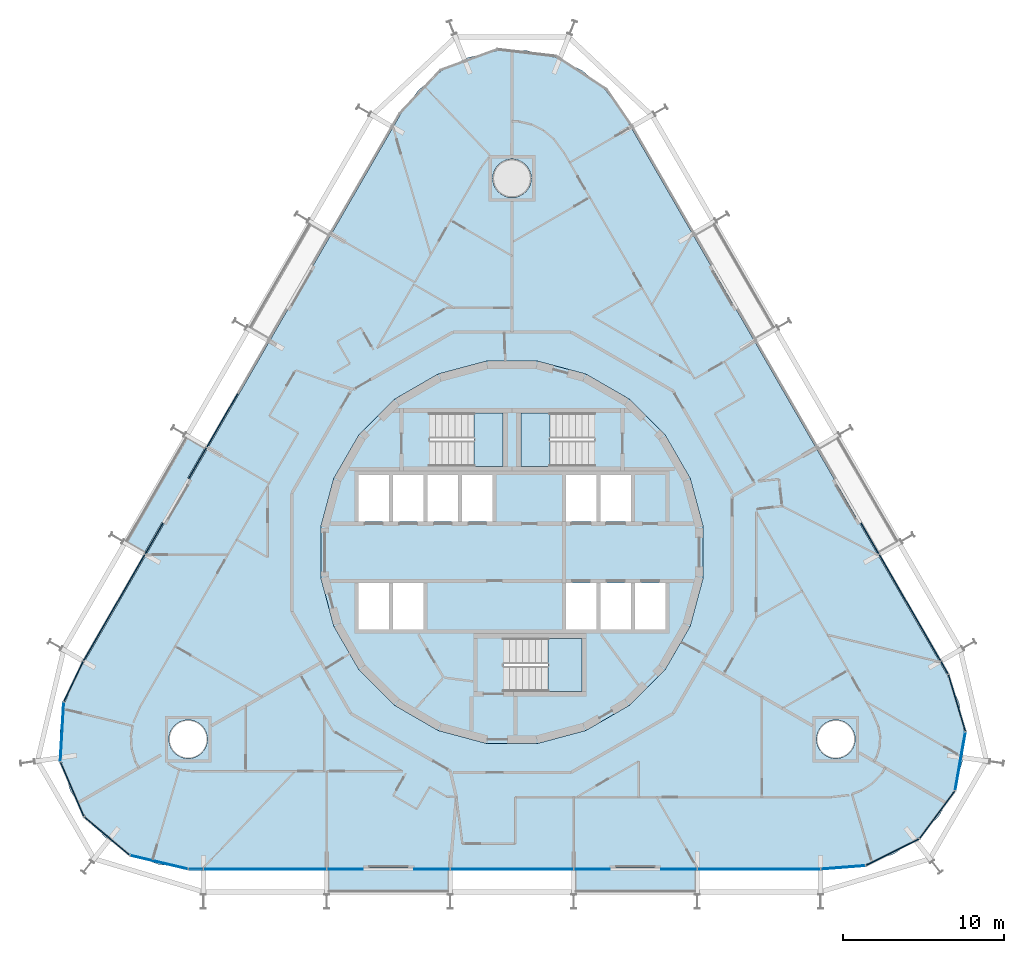
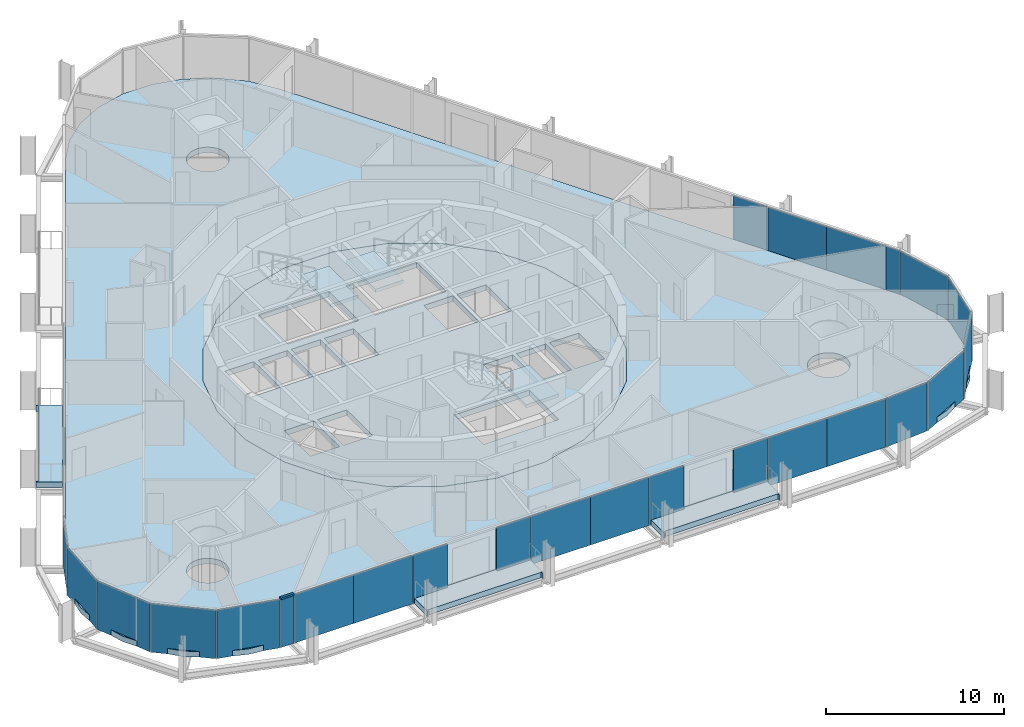
# One storey, part 11 of 20: 30 plates, 8 slabs, 1 member, 8 elements without a shape of their own.
"""IFC4 building model written with IfcOpenShell, lengths in metres."""

from ifc_helpers import new_model, si_unit, direction, frame, origin, origin_2d, place, context, subcontext, project, spatial, polyline, rectangle, outline, extrude, material, layer, layer_set, material_profile, profile_set, type_object, element, aggregate, save


model = new_model("IFC4")

# Units and contexts
model_context = context("Model", 3, precision=1e-05, world=origin(), true_north=direction((0.0, 1.0)))
body_context = subcontext(model_context, "Body", "Model", "MODEL_VIEW")
ifc_project = project(units=[si_unit("LENGTHUNIT", "METRE"), si_unit("AREAUNIT", "SQUARE_METRE"), si_unit("VOLUMEUNIT", "CUBIC_METRE"), si_unit("PLANEANGLEUNIT", "RADIAN"), si_unit("MASSUNIT", "GRAM", prefix="KILO")], contexts=[model_context])

# Site, building, storey
site_placement = place(None, origin())
site = spatial("IfcSite", under=ifc_project, at=site_placement, CompositionType="ELEMENT")
building_placement = place(site_placement, origin())
building = spatial("IfcBuilding", under=site, at=building_placement, Name="Spindle Arch Residences", CompositionType="ELEMENT")
storey_placement = place(building_placement, frame((0.0, 0.0, 66.39990234375)))
storey = spatial("IfcBuildingStorey", under=building, at=storey_placement, Name="L15", CompositionType="ELEMENT", Elevation=66.39990234375)

# Curtain wall, member
ifc_material_1 = material(Name="Aluminium bronze unitised frame with tinted glass", Category="aluminium")
ifc_layer_1 = layer(ifc_material_1, 0.159912109375)
ifc_layer_set_1 = layer_set([ifc_layer_1], Name="CW-D corner wall on the fillet arcs")
curtain_wall_type_1 = type_object("IfcCurtainWallType", Name="CW-D corner wall on the fillet arcs", PredefinedType="NOTDEFINED", material=ifc_layer_set_1)
curtain_wall_1_placement = place(storey_placement, origin())
curtain_wall_1 = element("IfcCurtainWall", 1, at=curtain_wall_1_placement, inside=storey, type_object=curtain_wall_type_1, Name="CW-D L15 run 5", PredefinedType="NOTDEFINED")
ifc_material_2 = material(Name="Aluminium bronze anodised transom", Category="aluminium")
ifc_material_profile = material_profile(ifc_material_2, rectangle(XDim=0.159912109375, YDim=0.1201171875, at=origin_2d()), Name="TR 120x160")
ifc_profile_set = profile_set([ifc_material_profile], Name="Aluminium bronze anodised transom")
member_type = type_object("IfcMemberType", Name="Bronze transom 120x160", PredefinedType="USERDEFINED", material=ifc_profile_set)
member_placement = place(storey_placement, frame((-20.113525390625, -19.7099609375, 2.989990234375), z_axis=(1.0, 0.0, 0.0), x_axis=(0.0, 1.0, 0.0)))
member = element("IfcMember", 2, at=member_placement, type_object=member_type, Name="CW-D transom 05", ObjectType="TRANSOM", PredefinedType="USERDEFINED", context=body_context, shape_type="SweptSolid", body=[
    extrude(rectangle(XDim=0.159912109375, YDim=0.1201171875, at=origin_2d()), origin(), (0.0, 0.0, 1.0), 0.88330078125),
])

# Slabs
ifc_material_3 = material(Name="Concrete C40/50", Category="concrete")
ifc_layer_2 = layer(ifc_material_3, 0.3798828125)
ifc_layer_set_2 = layer_set([ifc_layer_2], Name="Balcony slab 380")
slab_type_1 = type_object("IfcSlabType", Name="Balcony slab 380", PredefinedType="FLOOR", material=ifc_layer_set_2)
slab_1_placement = place(storey_placement, frame((0.0, 0.0, -0.3798828125)))
element("IfcSlab", 3, at=slab_1_placement, inside=storey, type_object=slab_type_1, Name="Balcony L15 bay 1", PredefinedType="FLOOR", context=body_context, shape_type="SweptSolid", body=[
    extrude(outline(polyline([(3.9150390625, -21.280029296875), (3.989990234375, -21.280029296875), (3.989990234375, -21.1298828125), (11.3701171875, -21.1298828125), (11.3701171875, -21.280029296875), (11.445068359375, -21.280029296875), (11.445068359375, -19.789794921875), (9.280029296875, -19.789794921875), (9.280029296875, -19.6298828125), (6.080078125, -19.6298828125), (6.080078125, -19.789794921875), (3.9150390625, -19.789794921875), (3.9150390625, -21.280029296875)])), origin(), (0.0, 0.0, 1.0), 0.3798828125),
])
slab_2_placement = place(storey_placement, frame((0.0, 0.0, -0.3798828125)))
element("IfcSlab", 4, at=slab_2_placement, inside=storey, type_object=slab_type_1, Name="Balcony L15 bay 17", PredefinedType="FLOOR", context=body_context, shape_type="SweptSolid", body=[
    extrude(outline(polyline([(-20.386474609375, 7.24951171875), (-20.424072265625, 7.1845703125), (-20.2939453125, 7.109375), (-23.984130859375, 0.71826171875), (-24.114013671875, 0.793212890625), (-24.151611328125, 0.728271484375), (-22.861083984375, -0.016845703125), (-21.778564453125, 1.858154296875), (-21.64013671875, 1.778076171875), (-20.0400390625, 4.549560546875), (-20.1787109375, 4.62939453125), (-19.09619140625, 6.50439453125), (-20.386474609375, 7.24951171875)])), origin(), (0.0, 0.0, 1.0), 0.3798828125),
])
slab_3_placement = place(storey_placement, frame((0.0, 0.0, -0.3798828125)))
element("IfcSlab", 5, at=slab_3_placement, inside=storey, type_object=slab_type_1, Name="Balcony L15 bay 23", PredefinedType="FLOOR", context=body_context, shape_type="SweptSolid", body=[
    extrude(outline(polyline([(-11.445068359375, -21.280029296875), (-11.3701171875, -21.280029296875), (-11.3701171875, -21.1298828125), (-3.989990234375, -21.1298828125), (-3.989990234375, -21.280029296875), (-3.9150390625, -21.280029296875), (-3.9150390625, -19.789794921875), (-6.080078125, -19.789794921875), (-6.080078125, -19.6298828125), (-9.280029296875, -19.6298828125), (-9.280029296875, -19.789794921875), (-11.445068359375, -19.789794921875), (-11.445068359375, -21.280029296875)])), origin(), (0.0, 0.0, 1.0), 0.3798828125),
])
ifc_material_4 = material(Name="Concrete C50/60", Category="concrete")
ifc_layer_3 = layer(ifc_material_4, 0.3798828125)
ifc_layer_set_3 = layer_set([ifc_layer_3], Name="Core floor slab 380")
slab_type_2 = type_object("IfcSlabType", Name="Core floor slab 380", PredefinedType="FLOOR", material=ifc_layer_set_3)
slab_4_placement = place(storey_placement, frame((0.0, 0.0, -0.3798828125)))
element("IfcSlab", 6, at=slab_4_placement, inside=storey, type_object=slab_type_2, Name="Core floor L15", PredefinedType="FLOOR", context=body_context, shape_type="SweptSolid", body=[
    extrude(outline(polyline([(1.56640625, -11.897216796875), (4.59228515625, -11.086669921875), (7.30517578125, -9.520263671875), (9.520263671875, -7.30517578125), (11.086669921875, -4.59228515625), (11.897216796875, -1.56640625), (11.897216796875, 1.56640625), (11.086669921875, 4.59228515625), (9.520263671875, 7.30517578125), (7.30517578125, 9.520263671875), (4.59228515625, 11.086669921875), (1.56640625, 11.897216796875), (-1.56640625, 11.897216796875), (-4.59228515625, 11.086669921875), (-7.30517578125, 9.520263671875), (-9.520263671875, 7.30517578125), (-11.086669921875, 4.59228515625), (-11.897216796875, 1.56640625), (-11.897216796875, -1.56640625), (-11.086669921875, -4.59228515625), (-9.520263671875, -7.30517578125), (-7.30517578125, -9.520263671875), (-4.59228515625, -11.086669921875), (-1.56640625, -11.897216796875), (1.56640625, -11.897216796875)]), holes=[polyline([(-9.550048828125, 1.89990234375), (-7.64990234375, 1.89990234375), (-7.64990234375, 4.800048828125), (-9.550048828125, 4.800048828125), (-9.550048828125, 1.89990234375)]), polyline([(-7.39990234375, 1.89990234375), (-5.5, 1.89990234375), (-5.5, 4.800048828125), (-7.39990234375, 4.800048828125), (-7.39990234375, 1.89990234375)]), polyline([(-5.25, 1.89990234375), (-3.35009765625, 1.89990234375), (-3.35009765625, 4.800048828125), (-5.25, 4.800048828125), (-5.25, 1.89990234375)]), polyline([(-3.10009765625, 1.89990234375), (-1.199951171875, 1.89990234375), (-1.199951171875, 4.800048828125), (-3.10009765625, 4.800048828125), (-3.10009765625, 1.89990234375)]), polyline([(3.35009765625, 1.89990234375), (5.25, 1.89990234375), (5.25, 4.800048828125), (3.35009765625, 4.800048828125), (3.35009765625, 1.89990234375)]), polyline([(5.5, 1.89990234375), (7.39990234375, 1.89990234375), (7.39990234375, 4.800048828125), (5.5, 4.800048828125), (5.5, 1.89990234375)]), polyline([(-9.550048828125, -4.800048828125), (-7.64990234375, -4.800048828125), (-7.64990234375, -1.89990234375), (-9.550048828125, -1.89990234375), (-9.550048828125, -4.800048828125)]), polyline([(-7.39990234375, -4.800048828125), (-5.5, -4.800048828125), (-5.5, -1.89990234375), (-7.39990234375, -1.89990234375), (-7.39990234375, -4.800048828125)]), polyline([(3.35009765625, -4.800048828125), (5.25, -4.800048828125), (5.25, -1.89990234375), (3.35009765625, -1.89990234375), (3.35009765625, -4.800048828125)]), polyline([(5.5, -4.800048828125), (7.39990234375, -4.800048828125), (7.39990234375, -1.89990234375), (5.5, -1.89990234375), (5.5, -4.800048828125)]), polyline([(7.64990234375, -4.800048828125), (9.550048828125, -4.800048828125), (9.550048828125, -1.89990234375), (7.64990234375, -1.89990234375), (7.64990234375, -4.800048828125)]), polyline([(5.1298828125, 8.669921875), (0.550048828125, 8.669921875), (0.550048828125, 5.35009765625), (5.1298828125, 5.35009765625), (5.1298828125, 8.669921875)]), polyline([(-5.1298828125, 5.35009765625), (-0.550048828125, 5.35009765625), (-0.550048828125, 8.669921875), (-5.1298828125, 8.669921875), (-5.1298828125, 5.35009765625)]), polyline([(-0.530029296875, -8.669921875), (4.35009765625, -8.669921875), (4.35009765625, -5.35009765625), (-0.530029296875, -5.35009765625), (-0.530029296875, -8.669921875)])]), origin(), (0.0, 0.0, 1.0), 0.3798828125),
])

# Stair, slab
ifc_material_5 = material(Name="Concrete C50/60", Category="concrete")
stair_type = type_object("IfcStairType", Name="Exit stair 16 risers", PredefinedType="HALF_TURN_STAIR", material=ifc_material_5)
stair_1_placement = place(storey_placement, origin())
stair_1 = element("IfcStair", 7, at=stair_1_placement, inside=storey, type_object=stair_type, Name="L15 Exit stair ST1", PredefinedType="HALF_TURN_STAIR")
ifc_material_6 = material(Name="Concrete C50/60", Category="concrete")
ifc_layer_4 = layer(ifc_material_6, 0.219970703125)
ifc_layer_set_4 = layer_set([ifc_layer_4], Name="Exit stair landing 220")
slab_type_3 = type_object("IfcSlabType", Name="Exit stair landing 220", PredefinedType="LANDING", material=ifc_layer_set_4)
slab_5_placement = place(storey_placement, frame((0.0, 0.0, 1.530029296875)))
slab_5 = element("IfcSlab", 8, at=slab_5_placement, type_object=slab_type_3, Name="ST1 landing 1", PredefinedType="LANDING", context=body_context, shape_type="SweptSolid", body=[
    extrude(outline(polyline([(2.3701171875, 8.669921875), (0.550048828125, 8.669921875), (0.550048828125, 5.35009765625), (2.3701171875, 5.35009765625), (2.3701171875, 8.669921875)])), origin(), (0.0, 0.0, 1.0), 0.219970703125),
])
aggregate(stair_1, [slab_5])

stair_2_placement = place(storey_placement, origin())
stair_2 = element("IfcStair", 9, at=stair_2_placement, inside=storey, type_object=stair_type, Name="L15 Exit stair ST2", PredefinedType="HALF_TURN_STAIR")
slab_6_placement = place(storey_placement, frame((0.0, 0.0, 1.530029296875)))
slab_6 = element("IfcSlab", 10, at=slab_6_placement, type_object=slab_type_3, Name="ST2 landing 1", PredefinedType="LANDING", context=body_context, shape_type="SweptSolid", body=[
    extrude(outline(polyline([(-2.3701171875, 5.35009765625), (-0.550048828125, 5.35009765625), (-0.550048828125, 8.669921875), (-2.3701171875, 8.669921875), (-2.3701171875, 5.35009765625)])), origin(), (0.0, 0.0, 1.0), 0.219970703125),
])
aggregate(stair_2, [slab_6])

stair_3_placement = place(storey_placement, origin())
stair_3 = element("IfcStair", 11, at=stair_3_placement, inside=storey, type_object=stair_type, Name="L15 Exit stair ST3", PredefinedType="HALF_TURN_STAIR")
slab_7_placement = place(storey_placement, frame((0.0, 0.0, 1.530029296875)))
slab_7 = element("IfcSlab", 12, at=slab_7_placement, type_object=slab_type_3, Name="ST3 landing 1", PredefinedType="LANDING", context=body_context, shape_type="SweptSolid", body=[
    extrude(outline(polyline([(2.22998046875, -8.669921875), (4.35009765625, -8.669921875), (4.35009765625, -5.35009765625), (2.22998046875, -5.35009765625), (2.22998046875, -8.669921875)])), origin(), (0.0, 0.0, 1.0), 0.219970703125),
])
aggregate(stair_3, [slab_7])

# Slab
ifc_material_7 = material(Name="Concrete C40/50", Category="concrete")
ifc_layer_5 = layer(ifc_material_7, 0.3798828125)
ifc_layer_set_5 = layer_set([ifc_layer_5], Name="Floor slab 380")
slab_type_4 = type_object("IfcSlabType", Name="Floor slab 380", PredefinedType="FLOOR", material=ifc_layer_set_5)
slab_8_placement = place(storey_placement, frame((0.0, 0.0, -0.3798828125)))
element("IfcSlab", 13, at=slab_8_placement, inside=storey, type_object=slab_type_4, Name="Floor slab L15", PredefinedType="FLOOR", context=body_context, shape_type="SweptSolid", body=[
    extrude(outline(polyline([(-21.988525390625, -19.414306640625), (-23.73388671875, -18.779052734375), (-25.285888671875, -17.75830078125), (-26.560546875, -16.4072265625), (-27.4892578125, -14.798583984375), (-28.022216796875, -13.01904296875), (-28.130126953125, -11.164794921875), (-27.8076171875, -9.33544921875), (-27.07177734375, -7.6298828125), (-6.92822265625, 27.259765625), (-5.819091796875, 28.749755859375), (-4.39599609375, 29.943603515625), (-2.736083984375, 30.77734375), (-0.9287109375, 31.205810546875), (0.9287109375, 31.205810546875), (2.736083984375, 30.77734375), (4.39599609375, 29.943603515625), (5.819091796875, 28.749755859375), (6.92822265625, 27.259765625), (27.07177734375, -7.6298828125), (27.8076171875, -9.33544921875), (28.130126953125, -11.164794921875), (28.022216796875, -13.01904296875), (27.4892578125, -14.798583984375), (26.560546875, -16.4072265625), (25.285888671875, -17.75830078125), (23.73388671875, -18.779052734375), (21.988525390625, -19.414306640625), (20.1435546875, -19.6298828125), (0.0, -19.6298828125), (-20.1435546875, -19.6298828125), (-21.988525390625, -19.414306640625)]), holes=[polyline([(7.30517578125, -9.520263671875), (9.520263671875, -7.30517578125), (11.086669921875, -4.59228515625), (11.897216796875, -1.56640625), (11.897216796875, 1.56640625), (11.086669921875, 4.59228515625), (9.520263671875, 7.30517578125), (7.30517578125, 9.520263671875), (4.59228515625, 11.086669921875), (1.56640625, 11.897216796875), (-1.56640625, 11.897216796875), (-4.59228515625, 11.086669921875), (-7.30517578125, 9.520263671875), (-9.520263671875, 7.30517578125), (-11.086669921875, 4.59228515625), (-11.897216796875, 1.56640625), (-11.897216796875, -1.56640625), (-11.086669921875, -4.59228515625), (-9.520263671875, -7.30517578125), (-7.30517578125, -9.520263671875), (-4.59228515625, -11.086669921875), (-1.56640625, -11.897216796875), (1.56640625, -11.897216796875), (4.59228515625, -11.086669921875), (7.30517578125, -9.520263671875)]), polyline([(-19.295166015625, -12.478515625), (-19.145751953125, -12.296630859375), (-19.034912109375, -12.089111328125), (-18.966796875, -11.864013671875), (-18.943603515625, -11.6298828125), (-18.966796875, -11.395751953125), (-19.034912109375, -11.170654296875), (-19.145751953125, -10.963134765625), (-19.295166015625, -10.781494140625), (-19.476806640625, -10.632080078125), (-19.684326171875, -10.521240234375), (-19.909423828125, -10.452880859375), (-20.1435546875, -10.429931640625), (-20.377685546875, -10.452880859375), (-20.602783203125, -10.521240234375), (-20.810302734375, -10.632080078125), (-20.9921875, -10.781494140625), (-21.141357421875, -10.963134765625), (-21.252197265625, -11.170654296875), (-21.320556640625, -11.395751953125), (-21.343505859375, -11.6298828125), (-21.320556640625, -11.864013671875), (-21.252197265625, -12.089111328125), (-21.141357421875, -12.296630859375), (-20.9921875, -12.478515625), (-20.810302734375, -12.627685546875), (-20.602783203125, -12.738525390625), (-20.377685546875, -12.806884765625), (-20.1435546875, -12.829833984375), (-19.909423828125, -12.806884765625), (-19.684326171875, -12.738525390625), (-19.476806640625, -12.627685546875), (-19.295166015625, -12.478515625)]), polyline([(0.848388671875, 22.411376953125), (0.997802734375, 22.593017578125), (1.108642578125, 22.800537109375), (1.177001953125, 23.025634765625), (1.199951171875, 23.259765625), (1.177001953125, 23.493896484375), (1.108642578125, 23.718994140625), (0.997802734375, 23.926513671875), (0.848388671875, 24.1083984375), (0.666748046875, 24.257568359375), (0.459228515625, 24.368408203125), (0.234130859375, 24.436767578125), (0.0, 24.459716796875), (-0.234130859375, 24.436767578125), (-0.459228515625, 24.368408203125), (-0.666748046875, 24.257568359375), (-0.848388671875, 24.1083984375), (-0.997802734375, 23.926513671875), (-1.108642578125, 23.718994140625), (-1.177001953125, 23.493896484375), (-1.199951171875, 23.259765625), (-1.177001953125, 23.025634765625), (-1.108642578125, 22.800537109375), (-0.997802734375, 22.593017578125), (-0.848388671875, 22.411376953125), (-0.666748046875, 22.261962890625), (-0.459228515625, 22.151123046875), (-0.234130859375, 22.0830078125), (0.0, 22.059814453125), (0.234130859375, 22.0830078125), (0.459228515625, 22.151123046875), (0.666748046875, 22.261962890625), (0.848388671875, 22.411376953125)]), polyline([(20.9921875, -12.478515625), (21.141357421875, -12.296630859375), (21.252197265625, -12.089111328125), (21.320556640625, -11.864013671875), (21.343505859375, -11.6298828125), (21.320556640625, -11.395751953125), (21.252197265625, -11.170654296875), (21.141357421875, -10.963134765625), (20.9921875, -10.781494140625), (20.810302734375, -10.632080078125), (20.602783203125, -10.521240234375), (20.377685546875, -10.452880859375), (20.1435546875, -10.429931640625), (19.909423828125, -10.452880859375), (19.684326171875, -10.521240234375), (19.476806640625, -10.632080078125), (19.295166015625, -10.781494140625), (19.145751953125, -10.963134765625), (19.034912109375, -11.170654296875), (18.966796875, -11.395751953125), (18.943603515625, -11.6298828125), (18.966796875, -11.864013671875), (19.034912109375, -12.089111328125), (19.145751953125, -12.296630859375), (19.295166015625, -12.478515625), (19.476806640625, -12.627685546875), (19.684326171875, -12.738525390625), (19.909423828125, -12.806884765625), (20.1435546875, -12.829833984375), (20.377685546875, -12.806884765625), (20.602783203125, -12.738525390625), (20.810302734375, -12.627685546875), (20.9921875, -12.478515625)])]), origin(), (0.0, 0.0, 1.0), 0.3798828125),
])

# Curtain wall, plates
curtain_wall_2_placement = place(storey_placement, origin())
curtain_wall_2 = element("IfcCurtainWall", 14, at=curtain_wall_2_placement, inside=storey, type_object=curtain_wall_type_1, Name="CW-D L15 run 1", PredefinedType="NOTDEFINED")
ifc_material_8 = material(Name="Tinted double glazing over aluminium faced non-combustible spandrel zone (K0)", Category="aluminium")
ifc_layer_6 = layer(ifc_material_8, 0.06005859375)
ifc_layer_set_6 = layer_set([ifc_layer_6], Name="Unitised glass panel with E 60 spandrel zone")
plate_type = type_object("IfcPlateType", Name="Unitised glass panel with E 60 spandrel zone", PredefinedType="CURTAIN_PANEL", material=ifc_layer_set_6)
plate_1_placement = place(storey_placement, frame((20.603515625, -19.60107421875, -0.3798828125), z_axis=(0.0, 0.0, 1.0), x_axis=(0.997002907861, 0.077364085451, 0.0)))
plate_1 = element("IfcPlate", 15, at=plate_1_placement, type_object=plate_type, Name="CW-D unit 00", PredefinedType="CURTAIN_PANEL", context=body_context, shape_type="SweptSolid", body=[
    extrude(rectangle(XDim=2.755126953125, YDim=0.06005859375, at=origin_2d()), origin(), (0.0, 0.0, 1.0), 3.31005859375),
])
plate_2_placement = place(storey_placement, frame((23.672119140625, -18.65576171875, -0.3798828125), z_axis=(0.0, 0.0, 1.0), x_axis=(0.893632642326, 0.448799176213, 0.0)))
plate_2 = element("IfcPlate", 16, at=plate_2_placement, type_object=plate_type, Name="CW-D unit 01", PredefinedType="CURTAIN_PANEL", context=body_context, shape_type="SweptSolid", body=[
    extrude(rectangle(XDim=3.666748046875, YDim=0.06005859375, at=origin_2d()), origin(), (0.0, 0.0, 1.0), 3.31005859375),
])
plate_3_placement = place(storey_placement, frame((26.449951171875, -16.324951171875, -0.3798828125), z_axis=(0.0, 0.0, 1.0), x_axis=(0.597158595823, 0.802123189687, 0.0)))
plate_3 = element("IfcPlate", 17, at=plate_3_placement, type_object=plate_type, Name="CW-D unit 02", PredefinedType="CURTAIN_PANEL", context=body_context, shape_type="SweptSolid", body=[
    extrude(rectangle(XDim=3.666748046875, YDim=0.06005859375, at=origin_2d()), origin(), (0.0, 0.0, 1.0), 3.31005859375),
])
plate_4_placement = place(storey_placement, frame((27.88623046875, -12.9951171875, -0.3798828125), z_axis=(0.0, 0.0, 1.0), x_axis=(0.173648181019, 0.984807752421, 0.0)))
plate_4 = element("IfcPlate", 18, at=plate_4_placement, type_object=plate_type, Name="CW-D unit 03", PredefinedType="CURTAIN_PANEL", context=body_context, shape_type="SweptSolid", body=[
    extrude(rectangle(XDim=3.666748046875, YDim=0.06005859375, at=origin_2d()), origin(), (0.0, 0.0, 1.0), 3.31005859375),
])
plate_5_placement = place(storey_placement, frame((27.675537109375, -9.375, -0.3798828125), z_axis=(0.0, 0.0, 1.0), x_axis=(-0.28680323051, 0.957989512975, 0.0)))
plate_5 = element("IfcPlate", 19, at=plate_5_placement, type_object=plate_type, Name="CW-D unit 04", PredefinedType="CURTAIN_PANEL", context=body_context, shape_type="SweptSolid", body=[
    extrude(rectangle(XDim=3.666748046875, YDim=0.06005859375, at=origin_2d()), origin(), (0.0, 0.0, 1.0), 3.31005859375),
])
plate_6_placement = place(storey_placement, frame((26.9052734375, -7.181396484375, -0.3798828125), z_axis=(0.0, 0.0, 1.0), x_axis=(-0.5, 0.866025403784, 0.0)))
plate_6 = element("IfcPlate", 20, at=plate_6_placement, type_object=plate_type, Name="CW-D unit 05", PredefinedType="CURTAIN_PANEL", context=body_context, shape_type="SweptSolid", body=[
    extrude(rectangle(XDim=0.88330078125, YDim=0.06005859375, at=origin_2d()), origin(), (0.0, 0.0, 1.0), 3.31005859375),
])
aggregate(curtain_wall_2, [plate_1, plate_2, plate_3, plate_4, plate_5, plate_6])

ifc_material_9 = material(Name="Aluminium bronze unitised frame with tinted glass", Category="aluminium")
ifc_layer_7 = layer(ifc_material_9, 0.159912109375)
ifc_layer_set_7 = layer_set([ifc_layer_7], Name="CW-C typical residential unitised wall")
curtain_wall_type_2 = type_object("IfcCurtainWallType", Name="CW-C typical residential unitised wall", PredefinedType="NOTDEFINED", material=ifc_layer_set_7)
curtain_wall_3_placement = place(storey_placement, origin())
curtain_wall_3 = element("IfcCurtainWall", 21, at=curtain_wall_3_placement, inside=storey, type_object=curtain_wall_type_2, Name="CW-C L15 run 2", PredefinedType="NOTDEFINED")
plate_7_placement = place(storey_placement, frame((25.701904296875, -5.09716796875, -0.3798828125), z_axis=(0.0, 0.0, 1.0), x_axis=(-0.5, 0.866025403784, 0.0)))
plate_7 = element("IfcPlate", 22, at=plate_7_placement, type_object=plate_type, Name="CW-C unit 05A", PredefinedType="CURTAIN_PANEL", context=body_context, shape_type="SweptSolid", body=[
    extrude(rectangle(XDim=3.81005859375, YDim=0.06005859375, at=origin_2d()), origin(), (0.0, 0.0, 1.0), 3.31005859375),
])
plate_8_placement = place(storey_placement, frame((23.796875, -1.797607421875, -0.3798828125), z_axis=(0.0, 0.0, 1.0), x_axis=(-0.5, 0.866025403784, 0.0)))
plate_8 = element("IfcPlate", 23, at=plate_8_placement, type_object=plate_type, Name="CW-C unit 05B", PredefinedType="CURTAIN_PANEL", context=body_context, shape_type="SweptSolid", body=[
    extrude(rectangle(XDim=3.81005859375, YDim=0.06005859375, at=origin_2d()), origin(), (0.0, 0.0, 1.0), 3.31005859375),
])
plate_9_placement = place(storey_placement, frame((22.26171875, 0.861083984375, -0.3798828125), z_axis=(0.0, 0.0, 1.0), x_axis=(-0.5, 0.866025403784, 0.0)))
plate_9 = element("IfcPlate", 24, at=plate_9_placement, type_object=plate_type, Name="CW-C unit 06L", PredefinedType="CURTAIN_PANEL", context=body_context, shape_type="SweptSolid", body=[
    extrude(rectangle(XDim=2.2099609375, YDim=0.06005859375, at=origin_2d()), origin(), (0.0, 0.0, 1.0), 3.31005859375),
])
aggregate(curtain_wall_3, [plate_7, plate_8, plate_9])

curtain_wall_4_placement = place(storey_placement, origin())
curtain_wall_4 = element("IfcCurtainWall", 25, at=curtain_wall_4_placement, inside=storey, type_object=curtain_wall_type_2, Name="CW-C L15 run 4", PredefinedType="NOTDEFINED")
plate_10_placement = place(storey_placement, frame((-18.021728515625, 8.205078125, -0.3798828125), z_axis=(0.0, 0.0, 1.0), x_axis=(-0.5, -0.866025403784, 0.0)))
plate_10 = element("IfcPlate", 26, at=plate_10_placement, type_object=plate_type, Name="CW-C unit 15B", PredefinedType="CURTAIN_PANEL", context=body_context, shape_type="SweptSolid", body=[
    extrude(rectangle(XDim=3.81005859375, YDim=0.06005859375, at=origin_2d()), origin(), (0.0, 0.0, 1.0), 3.31005859375),
])
plate_11_placement = place(storey_placement, frame((-19.556884765625, 5.54638671875, -0.3798828125), z_axis=(0.0, 0.0, 1.0), x_axis=(-0.5, -0.866025403784, 0.0)))
plate_11 = element("IfcPlate", 27, at=plate_11_placement, type_object=plate_type, Name="CW-C unit 16L", PredefinedType="CURTAIN_PANEL", context=body_context, shape_type="SweptSolid", body=[
    extrude(rectangle(XDim=2.2099609375, YDim=0.06005859375, at=origin_2d()), origin(), (0.0, 0.0, 1.0), 3.31005859375),
])
plate_12_placement = place(storey_placement, frame((-22.26171875, 0.861083984375, -0.3798828125), z_axis=(0.0, 0.0, 1.0), x_axis=(-0.5, -0.866025403784, 0.0)))
plate_12 = element("IfcPlate", 28, at=plate_12_placement, type_object=plate_type, Name="CW-C unit 16R", PredefinedType="CURTAIN_PANEL", context=body_context, shape_type="SweptSolid", body=[
    extrude(rectangle(XDim=2.2099609375, YDim=0.06005859375, at=origin_2d()), origin(), (0.0, 0.0, 1.0), 3.31005859375),
])
plate_13_placement = place(storey_placement, frame((-23.796875, -1.797607421875, -0.3798828125), z_axis=(0.0, 0.0, 1.0), x_axis=(-0.5, -0.866025403784, 0.0)))
plate_13 = element("IfcPlate", 29, at=plate_13_placement, type_object=plate_type, Name="CW-C unit 17A", PredefinedType="CURTAIN_PANEL", context=body_context, shape_type="SweptSolid", body=[
    extrude(rectangle(XDim=3.81005859375, YDim=0.06005859375, at=origin_2d()), origin(), (0.0, 0.0, 1.0), 3.31005859375),
])
plate_14_placement = place(storey_placement, frame((-25.701904296875, -5.09716796875, -0.3798828125), z_axis=(0.0, 0.0, 1.0), x_axis=(-0.5, -0.866025403784, 0.0)))
plate_14 = element("IfcPlate", 30, at=plate_14_placement, type_object=plate_type, Name="CW-C unit 17B", PredefinedType="CURTAIN_PANEL", context=body_context, shape_type="SweptSolid", body=[
    extrude(rectangle(XDim=3.81005859375, YDim=0.06005859375, at=origin_2d()), origin(), (0.0, 0.0, 1.0), 3.31005859375),
])
aggregate(curtain_wall_4, [plate_10, plate_11, plate_12, plate_13, plate_14])

# Plate
plate_15_placement = place(storey_placement, frame((-27.27685546875, -8.042724609375, -0.3798828125), z_axis=(0.0, 0.0, 1.0), x_axis=(-0.431502189519, -0.902111889092, 0.0)))
plate_15 = element("IfcPlate", 31, at=plate_15_placement, type_object=plate_type, Name="CW-D unit 00", PredefinedType="CURTAIN_PANEL", context=body_context, shape_type="SweptSolid", body=[
    extrude(rectangle(XDim=2.755126953125, YDim=0.06005859375, at=origin_2d()), origin(), (0.0, 0.0, 1.0), 3.31005859375),
])

plate_16_placement = place(storey_placement, frame((-27.992431640625, -11.1728515625, -0.3798828125), z_axis=(0.0, 0.0, 1.0), x_axis=(-0.058144829968, -0.99830815821, 0.0)))
plate_16 = element("IfcPlate", 32, at=plate_16_placement, type_object=plate_type, Name="CW-D unit 01", PredefinedType="CURTAIN_PANEL", context=body_context, shape_type="SweptSolid", body=[
    extrude(rectangle(XDim=3.666748046875, YDim=0.06005859375, at=origin_2d()), origin(), (0.0, 0.0, 1.0), 3.31005859375),
])

plate_17_placement = place(storey_placement, frame((-27.36279296875, -14.743896484375, -0.3798828125), z_axis=(0.0, 0.0, 1.0), x_axis=(0.396079766691, -0.918216106599, 0.0)))
plate_17 = element("IfcPlate", 33, at=plate_17_placement, type_object=plate_type, Name="CW-D unit 02", PredefinedType="CURTAIN_PANEL", context=body_context, shape_type="SweptSolid", body=[
    extrude(rectangle(XDim=3.666748046875, YDim=0.06005859375, at=origin_2d()), origin(), (0.0, 0.0, 1.0), 3.31005859375),
])

plate_18_placement = place(storey_placement, frame((-25.197265625, -17.652587890625, -0.3798828125), z_axis=(0.0, 0.0, 1.0), x_axis=(0.766044445239, -0.64278760716, 0.0)))
plate_18 = element("IfcPlate", 34, at=plate_18_placement, type_object=plate_type, Name="CW-D unit 03", PredefinedType="CURTAIN_PANEL", context=body_context, shape_type="SweptSolid", body=[
    extrude(rectangle(XDim=3.666748046875, YDim=0.06005859375, at=origin_2d()), origin(), (0.0, 0.0, 1.0), 3.31005859375),
])

plate_19_placement = place(storey_placement, frame((-21.956787109375, -19.2802734375, -0.3798828125), z_axis=(0.0, 0.0, 1.0), x_axis=(0.973044871028, -0.230615868852, 0.0)))
plate_19 = element("IfcPlate", 35, at=plate_19_placement, type_object=plate_type, Name="CW-D unit 04", PredefinedType="CURTAIN_PANEL", context=body_context, shape_type="SweptSolid", body=[
    extrude(rectangle(XDim=3.666748046875, YDim=0.06005859375, at=origin_2d()), origin(), (0.0, 0.0, 1.0), 3.31005859375),
])

plate_20_placement = place(storey_placement, frame((-19.671875, -19.7099609375, -0.3798828125), z_axis=(0.0, 0.0, 1.0), x_axis=(1.0, 0.0, 0.0)))
plate_20 = element("IfcPlate", 36, at=plate_20_placement, type_object=plate_type, Name="CW-D unit 05", PredefinedType="CURTAIN_PANEL", context=body_context, shape_type="SweptSolid", body=[
    extrude(rectangle(XDim=0.88330078125, YDim=0.06005859375, at=origin_2d()), origin(), (0.0, 0.0, 1.0), 3.31005859375),
])

aggregate(curtain_wall_1, [plate_15, plate_16, plate_17, plate_18, plate_19, member, plate_20])

# Curtain wall, plates
curtain_wall_5_placement = place(storey_placement, origin())
curtain_wall_5 = element("IfcCurtainWall", 37, at=curtain_wall_5_placement, inside=storey, type_object=curtain_wall_type_2, Name="CW-C L15 run 6", PredefinedType="NOTDEFINED")
plate_21_placement = place(storey_placement, frame((-17.26513671875, -19.7099609375, -0.3798828125), z_axis=(0.0, 0.0, 1.0), x_axis=(1.0, 0.0, 0.0)))
plate_21 = element("IfcPlate", 38, at=plate_21_placement, type_object=plate_type, Name="CW-C unit 21A", PredefinedType="CURTAIN_PANEL", context=body_context, shape_type="SweptSolid", body=[
    extrude(rectangle(XDim=3.81005859375, YDim=0.06005859375, at=origin_2d()), origin(), (0.0, 0.0, 1.0), 3.31005859375),
])
plate_22_placement = place(storey_placement, frame((-13.455078125, -19.7099609375, -0.3798828125), z_axis=(0.0, 0.0, 1.0), x_axis=(1.0, 0.0, 0.0)))
plate_22 = element("IfcPlate", 39, at=plate_22_placement, type_object=plate_type, Name="CW-C unit 21B", PredefinedType="CURTAIN_PANEL", context=body_context, shape_type="SweptSolid", body=[
    extrude(rectangle(XDim=3.81005859375, YDim=0.06005859375, at=origin_2d()), origin(), (0.0, 0.0, 1.0), 3.31005859375),
])
plate_23_placement = place(storey_placement, frame((-10.385009765625, -19.7099609375, -0.3798828125), z_axis=(0.0, 0.0, 1.0), x_axis=(1.0, 0.0, 0.0)))
plate_23 = element("IfcPlate", 40, at=plate_23_placement, type_object=plate_type, Name="CW-C unit 22L", PredefinedType="CURTAIN_PANEL", context=body_context, shape_type="SweptSolid", body=[
    extrude(rectangle(XDim=2.2099609375, YDim=0.06005859375, at=origin_2d()), origin(), (0.0, 0.0, 1.0), 3.31005859375),
])
plate_24_placement = place(storey_placement, frame((-4.97509765625, -19.7099609375, -0.3798828125), z_axis=(0.0, 0.0, 1.0), x_axis=(1.0, 0.0, 0.0)))
plate_24 = element("IfcPlate", 41, at=plate_24_placement, type_object=plate_type, Name="CW-C unit 22R", PredefinedType="CURTAIN_PANEL", context=body_context, shape_type="SweptSolid", body=[
    extrude(rectangle(XDim=2.2099609375, YDim=0.06005859375, at=origin_2d()), origin(), (0.0, 0.0, 1.0), 3.31005859375),
])
plate_25_placement = place(storey_placement, frame((-1.905029296875, -19.7099609375, -0.3798828125), z_axis=(0.0, 0.0, 1.0), x_axis=(1.0, 0.0, 0.0)))
plate_25 = element("IfcPlate", 42, at=plate_25_placement, type_object=plate_type, Name="CW-C unit 23A", PredefinedType="CURTAIN_PANEL", context=body_context, shape_type="SweptSolid", body=[
    extrude(rectangle(XDim=3.81005859375, YDim=0.06005859375, at=origin_2d()), origin(), (0.0, 0.0, 1.0), 3.31005859375),
])
plate_26_placement = place(storey_placement, frame((1.905029296875, -19.7099609375, -0.3798828125), z_axis=(0.0, 0.0, 1.0), x_axis=(1.0, 0.0, 0.0)))
plate_26 = element("IfcPlate", 43, at=plate_26_placement, type_object=plate_type, Name="CW-C unit 23B", PredefinedType="CURTAIN_PANEL", context=body_context, shape_type="SweptSolid", body=[
    extrude(rectangle(XDim=3.81005859375, YDim=0.06005859375, at=origin_2d()), origin(), (0.0, 0.0, 1.0), 3.31005859375),
])
plate_27_placement = place(storey_placement, frame((4.97509765625, -19.7099609375, -0.3798828125), z_axis=(0.0, 0.0, 1.0), x_axis=(1.0, 0.0, 0.0)))
plate_27 = element("IfcPlate", 44, at=plate_27_placement, type_object=plate_type, Name="CW-C unit 00L", PredefinedType="CURTAIN_PANEL", context=body_context, shape_type="SweptSolid", body=[
    extrude(rectangle(XDim=2.2099609375, YDim=0.06005859375, at=origin_2d()), origin(), (0.0, 0.0, 1.0), 3.31005859375),
])
plate_28_placement = place(storey_placement, frame((10.385009765625, -19.7099609375, -0.3798828125), z_axis=(0.0, 0.0, 1.0), x_axis=(1.0, 0.0, 0.0)))
plate_28 = element("IfcPlate", 45, at=plate_28_placement, type_object=plate_type, Name="CW-C unit 00R", PredefinedType="CURTAIN_PANEL", context=body_context, shape_type="SweptSolid", body=[
    extrude(rectangle(XDim=2.2099609375, YDim=0.06005859375, at=origin_2d()), origin(), (0.0, 0.0, 1.0), 3.31005859375),
])
plate_29_placement = place(storey_placement, frame((13.455078125, -19.7099609375, -0.3798828125), z_axis=(0.0, 0.0, 1.0), x_axis=(1.0, 0.0, 0.0)))
plate_29 = element("IfcPlate", 46, at=plate_29_placement, type_object=plate_type, Name="CW-C unit 01A", PredefinedType="CURTAIN_PANEL", context=body_context, shape_type="SweptSolid", body=[
    extrude(rectangle(XDim=3.81005859375, YDim=0.06005859375, at=origin_2d()), origin(), (0.0, 0.0, 1.0), 3.31005859375),
])
plate_30_placement = place(storey_placement, frame((17.26513671875, -19.7099609375, -0.3798828125), z_axis=(0.0, 0.0, 1.0), x_axis=(1.0, 0.0, 0.0)))
plate_30 = element("IfcPlate", 47, at=plate_30_placement, type_object=plate_type, Name="CW-C unit 01B", PredefinedType="CURTAIN_PANEL", context=body_context, shape_type="SweptSolid", body=[
    extrude(rectangle(XDim=3.81005859375, YDim=0.06005859375, at=origin_2d()), origin(), (0.0, 0.0, 1.0), 3.31005859375),
])
aggregate(curtain_wall_5, [plate_21, plate_22, plate_23, plate_24, plate_25, plate_26, plate_27, plate_28, plate_29, plate_30])

save(model, "model.ifc")
